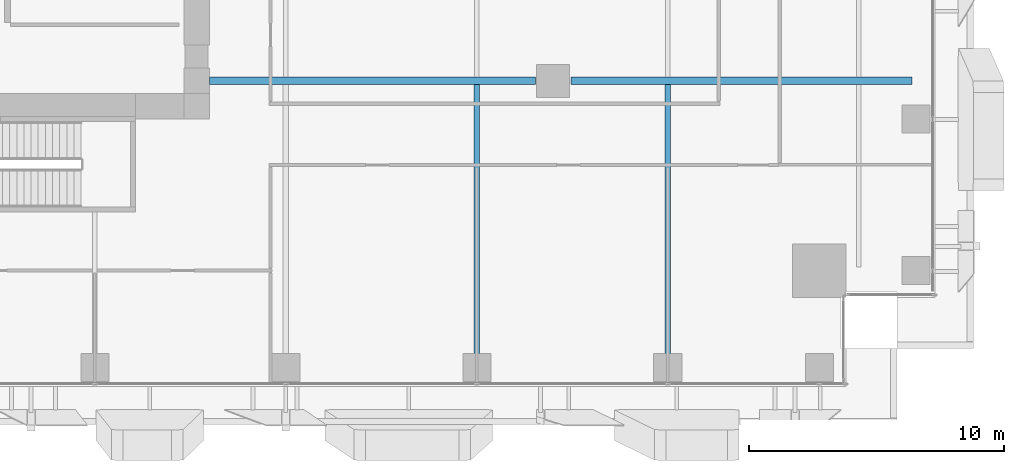
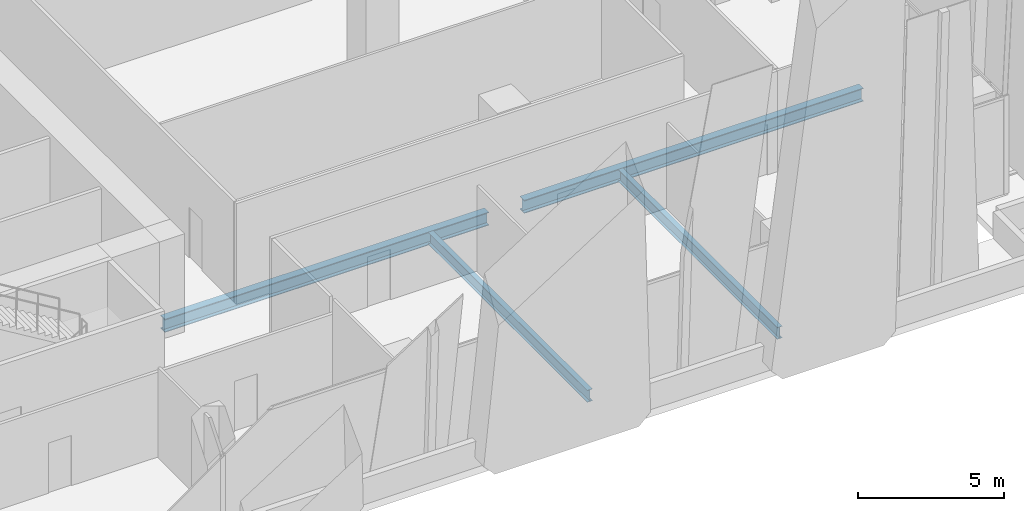
# One storey, part 8 of 37: 4 beams.
"""IFC4 building model written with IfcOpenShell, lengths in metres."""

from ifc_helpers import new_model, si_unit, direction, frame, origin, origin_2d, place, context, subcontext, project, spatial, i_section, extrude, source, transform, mapped, material, material_profile, profile_set, type_object, element, save


model = new_model("IFC4")

# Units and contexts
model_context = context("Model", 3, precision=1e-05, world=origin(), true_north=direction((0.0, 1.0)))
body_context = subcontext(model_context, "Body", "Model", "MODEL_VIEW")
ifc_project = project(units=[si_unit("LENGTHUNIT", "METRE"), si_unit("AREAUNIT", "SQUARE_METRE"), si_unit("VOLUMEUNIT", "CUBIC_METRE"), si_unit("PLANEANGLEUNIT", "RADIAN"), si_unit("MASSUNIT", "GRAM", prefix="KILO")], contexts=[model_context])

# Site, building, storey
site_placement = place(None, origin())
site = spatial("IfcSite", under=ifc_project, at=site_placement, CompositionType="ELEMENT")
building_placement = place(site_placement, origin())
building = spatial("IfcBuilding", under=site, at=building_placement, Name="Khomas Fold Tower", CompositionType="ELEMENT")
storey_placement = place(building_placement, frame((0.0, 0.0, 101.5)))
storey = spatial("IfcBuildingStorey", under=building, at=storey_placement, Name="L21", CompositionType="ELEMENT", Elevation=101.5)

# Beams
ifc_material_1 = material(Name="Steel S355", Category="steel")
ifc_material_profile_1 = material_profile(ifc_material_1, i_section(OverallWidth=0.300048828125, OverallDepth=0.550048828125, WebThickness=0.014892578125, FlangeThickness=0.029052734375, at=origin_2d()), Name="HE 550 B")
ifc_profile_set_1 = profile_set([ifc_material_profile_1], Name="Steel S355")
beam_type_1 = type_object("IfcBeamType", Name="HE 550 B beam GB4", PredefinedType="BEAM", material=ifc_profile_set_1)
shared_shape_1 = source(origin(), body_context, "Body", "SweptSolid", [
    extrude(i_section(OverallWidth=0.300048828125, OverallDepth=0.550048828125, WebThickness=0.014892578125, FlangeThickness=0.029052734375, at=origin_2d()), origin(), (0.0, 0.0, 1.0), 12.800048828125),
])
beam_1_placement = place(storey_placement, frame((24.0, 13.5, -0.574951171875), z_axis=(1.0, 0.0, 0.0), x_axis=(0.0, 1.0, 0.0)))
element("IfcBeam", 1, at=beam_1_placement, inside=storey, type_object=beam_type_1, Name="GB4", PredefinedType="BEAM", context=body_context, shape_type="MappedRepresentation", body=[
    mapped(shared_shape_1, transform((0.0, 0.0, 0.0))),
])
shared_shape_2 = source(origin(), body_context, "Body", "SweptSolid", [
    extrude(i_section(OverallWidth=0.300048828125, OverallDepth=0.550048828125, WebThickness=0.014892578125, FlangeThickness=0.029052734375, at=origin_2d()), origin(), (0.0, 0.0, 1.0), 13.400146484375),
])
beam_2_placement = place(storey_placement, frame((38.199951171875, 13.5, -0.574951171875), z_axis=(1.0, 0.0, 0.0), x_axis=(0.0, 1.0, 0.0)))
element("IfcBeam", 2, at=beam_2_placement, inside=storey, type_object=beam_type_1, Name="GB4", PredefinedType="BEAM", context=body_context, shape_type="MappedRepresentation", body=[
    mapped(shared_shape_2, transform((0.0, 0.0, 0.0))),
])
ifc_material_2 = material(Name="Steel S355", Category="steel")
ifc_material_profile_2 = material_profile(ifc_material_2, i_section(OverallWidth=0.199951171875, OverallDepth=0.5, WebThickness=0.01025390625, FlangeThickness=0.01611328125, at=origin_2d()), Name="IPE 500")
ifc_profile_set_2 = profile_set([ifc_material_profile_2], Name="Steel S355")
beam_type_2 = type_object("IfcBeamType", Name="IPE 500 beam JB5", PredefinedType="BEAM", material=ifc_profile_set_2)
shared_shape_3 = source(origin(), body_context, "Body", "SweptSolid", [
    extrude(i_section(OverallWidth=0.199951171875, OverallDepth=0.5, WebThickness=0.01025390625, FlangeThickness=0.01611328125, at=origin_2d()), origin(), (0.0, 0.0, 1.0), 10.900146484375),
])
for number, where, z_axis, x_axis, name in (
    (3, (34.5, 2.449951171875, -0.550048828125), (0.0, 1.0, 0.0), (-1.0, 0.0, 0.0), "JB5"),
    (4, (42.0, 2.449951171875, -0.550048828125), (0.0, 1.0, 0.0), (-1.0, 0.0, 0.0), "JB5"),
):
    element("IfcBeam", number, at=place(storey_placement, frame(where, z_axis=z_axis, x_axis=x_axis)), inside=storey, type_object=beam_type_2, Name=name, PredefinedType="BEAM", context=body_context, shape_type="MappedRepresentation", body=[
        mapped(shared_shape_3, transform((0.0, 0.0, 0.0))),
    ])

save(model, "model.ifc")
